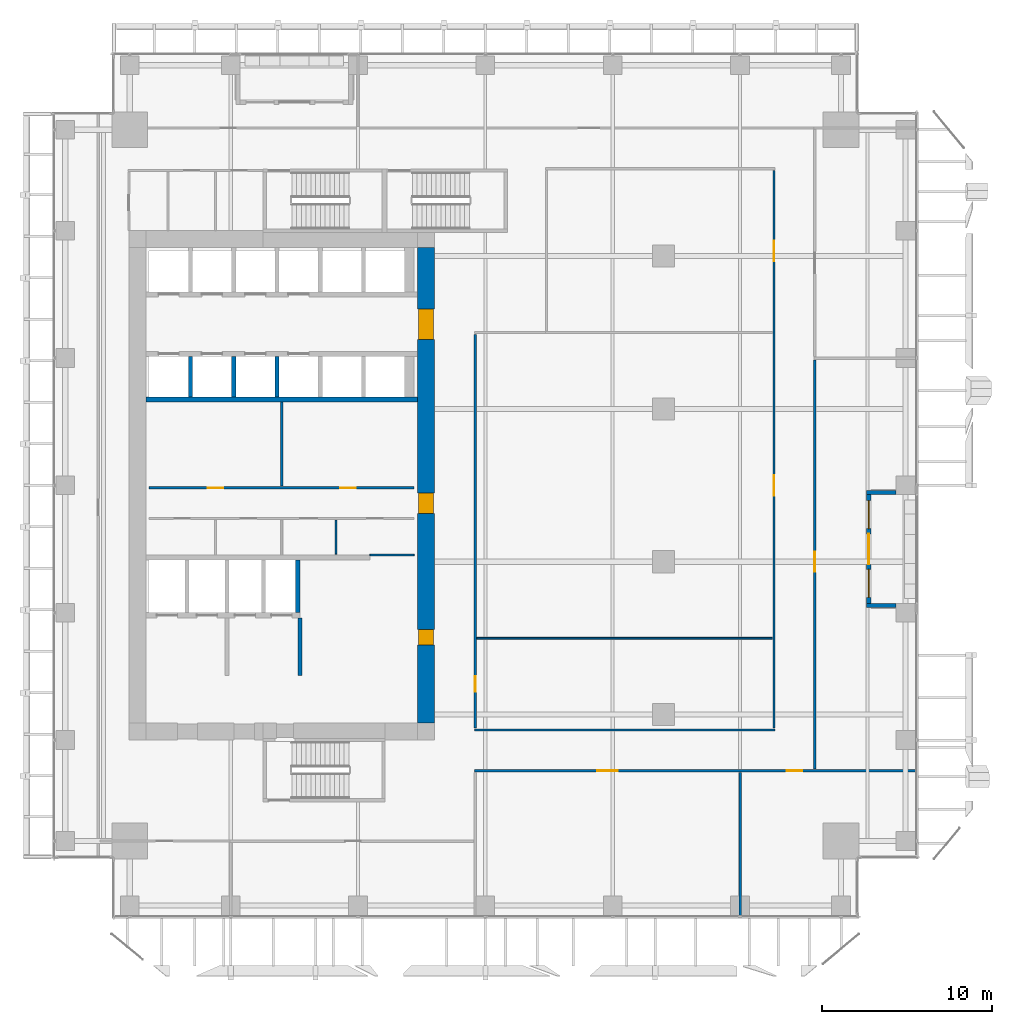
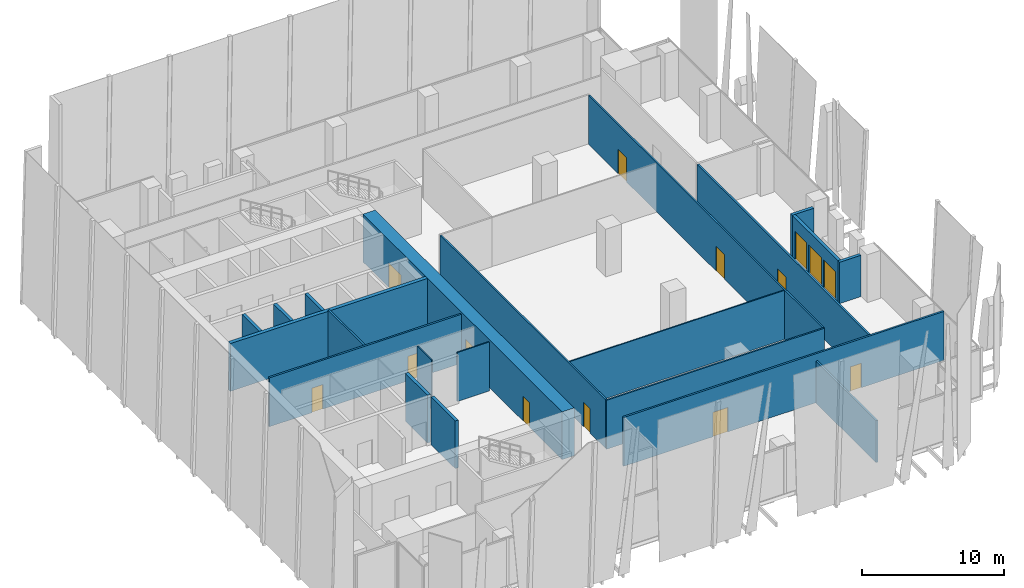
# One storey, part 29 of 36: 21 walls, 12 doors, 2 windows, 14 openings.
"""IFC4 building model written with IfcOpenShell, lengths in metres."""

from ifc_helpers import new_model, si_unit, direction, frame, frame_2d, origin, place, context, subcontext, project, spatial, rectangle, extrude, source, transform, mapped, material, layer, layer_set, type_object, element, fill, save


model = new_model("IFC4")

# Units and contexts
model_context = context("Model", 3, precision=1e-05, world=origin(), true_north=direction((0.0, 1.0)))
body_context = subcontext(model_context, "Body", "Model", "MODEL_VIEW")
ifc_project = project(units=[si_unit("LENGTHUNIT", "METRE"), si_unit("AREAUNIT", "SQUARE_METRE"), si_unit("VOLUMEUNIT", "CUBIC_METRE"), si_unit("PLANEANGLEUNIT", "RADIAN"), si_unit("MASSUNIT", "GRAM", prefix="KILO")], contexts=[model_context])

# Site, building, storey
site_placement = place(None, origin())
site = spatial("IfcSite", under=ifc_project, at=site_placement, CompositionType="ELEMENT")
building_placement = place(site_placement, origin())
building = spatial("IfcBuilding", under=site, at=building_placement, Name="Khomas Fold Tower", CompositionType="ELEMENT")
storey_placement = place(building_placement, frame((0.0, 0.0, 141.10009765625)))
storey = spatial("IfcBuildingStorey", under=building, at=storey_placement, Name="L30", CompositionType="ELEMENT", Elevation=141.10009765625)

# Wall, openings, doors
ifc_material_1 = material(Name="Concrete C70/85", Category="concrete")
ifc_layer_1 = layer(ifc_material_1, 1.0)
ifc_layer_set_1 = layer_set([ifc_layer_1], Name="Concrete C70/85")
wall_type_1 = type_object("IfcWallType", Name="Core wall 1000", PredefinedType="SHEAR", material=ifc_layer_set_1)
shared_shape_1 = source(origin(), body_context, "Body", "SweptSolid", [
    extrude(rectangle(XDim=28.0, YDim=1.0, at=frame_2d((14.0, 0.0))), origin(), (0.0, 0.0, 1.0), 4.099853515625),
])
wall_1_placement = place(storey_placement, frame((23.5, 13.0, 0.0), z_axis=(0.0, 0.0, 1.0), x_axis=(0.0, 1.0, 0.0)))
wall_1 = element("IfcWall", 1, at=wall_1_placement, inside=storey, type_object=wall_type_1, Name="Core wall CW-L-E-L21", PredefinedType="SHEAR", context=body_context, shape_type="MappedRepresentation", body=[
    mapped(shared_shape_1, transform((0.0, 0.0, 0.0))),
])
shared_shape_2 = source(origin(), body_context, "Body", "SweptSolid", [
    extrude(rectangle(XDim=1.800048828125, YDim=2.10009765625, at=frame_2d((0.89990234375, 1.050048828125))), frame((0.0, 0.510009765625, 0.0), z_axis=(0.0, -1.0, 0.0), x_axis=(1.0, 0.0, 0.0)), (0.0, 0.0, 1.0), 1.02001953125),
])
opening_1_placement = place(wall_1_placement, frame((22.60009765625, 0.0, 0.0)))
opening_1 = element("IfcOpeningElement", 2, at=opening_1_placement, cuts=wall_1, Name="Opening 0015", PredefinedType="OPENING", context=body_context, shape_type="MappedRepresentation", body=[
    mapped(shared_shape_2, transform((0.0, 0.0, 0.0))),
])
shared_shape_3 = source(origin(), body_context, "Body", "SweptSolid", [
    extrude(rectangle(XDim=1.199951171875, YDim=2.10009765625, at=frame_2d((0.60009765625, 1.050048828125))), frame((0.0, 0.510009765625, 0.0), z_axis=(0.0, -1.0, 0.0), x_axis=(1.0, 0.0, 0.0)), (0.0, 0.0, 1.0), 1.02001953125),
])
opening_2_placement = place(wall_1_placement, frame((12.35009765625, 0.0, 0.0)))
opening_2 = element("IfcOpeningElement", 3, at=opening_2_placement, cuts=wall_1, Name="Opening 0001", PredefinedType="OPENING", context=body_context, shape_type="MappedRepresentation", body=[
    mapped(shared_shape_3, transform((0.0, 0.0, 0.0))),
])
shared_shape_4 = source(origin(), body_context, "Body", "SweptSolid", [
    extrude(rectangle(XDim=0.89990234375, YDim=2.10009765625, at=frame_2d((0.449951171875, 1.050048828125))), frame((0.0, 0.510009765625, 0.0), z_axis=(0.0, -1.0, 0.0), x_axis=(1.0, 0.0, 0.0)), (0.0, 0.0, 1.0), 1.02001953125),
])
opening_3_placement = place(wall_1_placement, frame((4.60009765625, 0.0, 0.0)))
opening_3 = element("IfcOpeningElement", 4, at=opening_3_placement, cuts=wall_1, Name="Opening 0008", PredefinedType="OPENING", context=body_context, shape_type="MappedRepresentation", body=[
    mapped(shared_shape_4, transform((0.0, 0.0, 0.0))),
])
ifc_material_2 = material(Name="Steel door leaf", Category="steel")
door_type_1 = type_object("IfcDoorType", Name="Lobby door 1800x2100", OperationType="DOUBLE_DOOR_SINGLE_SWING", PredefinedType="DOOR", material=ifc_material_2)
shared_shape_5 = source(origin(), body_context, "Body", "SweptSolid", [
    extrude(rectangle(XDim=1.800048828125, YDim=2.10009765625, at=frame_2d((0.89990234375, 1.050048828125))), frame((0.0, 0.449951171875, 0.0), z_axis=(0.0, -1.0, 0.0), x_axis=(1.0, 0.0, 0.0)), (0.0, 0.0, 1.0), 0.89990234375),
])
door_1_placement = place(opening_1_placement, origin())
door_1 = element("IfcDoor", 5, at=door_1_placement, inside=storey, type_object=door_type_1, Name="Lobby door", OperationType="DOUBLE_DOOR_SINGLE_SWING", OverallHeight=2.10009765625, OverallWidth=1.800048828125, PredefinedType="DOOR", context=body_context, shape_type="MappedRepresentation", body=[
    mapped(shared_shape_5, transform((0.0, 0.0, 0.0))),
])
fill(opening_1, door_1)
ifc_material_3 = material(Name="Timber door leaf", Category="wood")
door_type_2 = type_object("IfcDoorType", Name="Door 1200x2100 right-hand", OperationType="SINGLE_SWING_RIGHT", PredefinedType="DOOR", material=ifc_material_3)
shared_shape_6 = source(origin(), body_context, "Body", "SweptSolid", [
    extrude(rectangle(XDim=1.199951171875, YDim=2.10009765625, at=frame_2d((0.60009765625, 1.050048828125))), frame((0.0, 0.449951171875, 0.0), z_axis=(0.0, -1.0, 0.0), x_axis=(1.0, 0.0, 0.0)), (0.0, 0.0, 1.0), 0.89990234375),
])
door_2_placement = place(opening_2_placement, origin())
door_2 = element("IfcDoor", 6, at=door_2_placement, inside=storey, type_object=door_type_2, Name="Door", OperationType="SINGLE_SWING_RIGHT", OverallHeight=2.10009765625, OverallWidth=1.199951171875, PredefinedType="DOOR", context=body_context, shape_type="MappedRepresentation", body=[
    mapped(shared_shape_6, transform((0.0, 0.0, 0.0))),
])
fill(opening_2, door_2)
ifc_material_4 = material(Name="Timber door leaf", Category="wood")
door_type_3 = type_object("IfcDoorType", Name="Door 900x2100 right-hand", OperationType="SINGLE_SWING_RIGHT", PredefinedType="DOOR", material=ifc_material_4)
shared_shape_7 = source(origin(), body_context, "Body", "SweptSolid", [
    extrude(rectangle(XDim=0.89990234375, YDim=2.10009765625, at=frame_2d((0.449951171875, 1.050048828125))), frame((0.0, 0.449951171875, 0.0), z_axis=(0.0, -1.0, 0.0), x_axis=(1.0, 0.0, 0.0)), (0.0, 0.0, 1.0), 0.89990234375),
])
door_3_placement = place(opening_3_placement, origin())
door_3 = element("IfcDoor", 7, at=door_3_placement, inside=storey, type_object=door_type_3, Name="Door", OperationType="SINGLE_SWING_RIGHT", OverallHeight=2.10009765625, OverallWidth=0.89990234375, PredefinedType="DOOR", context=body_context, shape_type="MappedRepresentation", body=[
    mapped(shared_shape_7, transform((0.0, 0.0, 0.0))),
])
fill(opening_3, door_3)

# Walls
ifc_material_5 = material(Name="Concrete C50/60", Category="concrete")
ifc_layer_2 = layer(ifc_material_5, 0.300048828125)
ifc_layer_set_2 = layer_set([ifc_layer_2], Name="Concrete C50/60")
wall_type_2 = type_object("IfcWallType", Name="Shaft wall 300", PredefinedType="STANDARD", material=ifc_layer_set_2)
shared_shape_8 = source(origin(), body_context, "Body", "SweptSolid", [
    extrude(rectangle(XDim=16.0, YDim=0.300048828125, at=frame_2d((8.0, 0.0))), origin(), (0.0, 0.0, 1.0), 4.099853515625),
])
wall_2_placement = place(storey_placement, frame((7.0, 32.050048828125, 0.0), z_axis=(0.0, 0.0, 1.0), x_axis=(1.0, 0.0, 0.0)))
element("IfcWall", 8, at=wall_2_placement, inside=storey, type_object=wall_type_2, Name="Core wall SW-HRN-B", PredefinedType="STANDARD", context=body_context, shape_type="MappedRepresentation", body=[
    mapped(shared_shape_8, transform((0.0, 0.0, 0.0))),
])
ifc_material_6 = material(Name="Concrete C50/60", Category="concrete")
ifc_layer_3 = layer(ifc_material_6, 0.25)
ifc_layer_set_3 = layer_set([ifc_layer_3], Name="Concrete C50/60")
wall_type_3 = type_object("IfcWallType", Name="Shaft wall 250", PredefinedType="STANDARD", material=ifc_layer_set_3)
shared_shape_9 = source(origin(), body_context, "Body", "SweptSolid", [
    extrude(rectangle(XDim=3.10009765625, YDim=0.25, at=frame_2d((1.550048828125, 0.0))), origin(), (0.0, 0.0, 1.0), 4.099853515625),
])
wall_3_placement = place(storey_placement, frame((15.949951171875, 19.5, 0.0), z_axis=(0.0, 0.0, 1.0), x_axis=(0.0, 1.0, 0.0)))
element("IfcWall", 9, at=wall_3_placement, inside=storey, type_object=wall_type_3, Name="Core wall SW-FS-PE", PredefinedType="STANDARD", context=body_context, shape_type="MappedRepresentation", body=[
    mapped(shared_shape_9, transform((0.0, 0.0, 0.0))),
])
shared_shape_10 = source(origin(), body_context, "Body", "SweptSolid", [
    extrude(rectangle(XDim=2.400146484375, YDim=0.25, at=frame_2d((1.2001953125, 0.0))), origin(), (0.0, 0.0, 1.0), 4.099853515625),
])
for number, where, z_axis, x_axis, name in (
    (10, (9.625, 32.199951171875, 0.0), (0.0, 0.0, 1.0), (0.0, 1.0, 0.0), "Core wall SW-LRS-P1"),
    (11, (12.175048828125, 32.199951171875, 0.0), (0.0, 0.0, 1.0), (0.0, 1.0, 0.0), "Core wall SW-LRS-P2"),
    (12, (14.72509765625, 32.199951171875, 0.0), (0.0, 0.0, 1.0), (0.0, 1.0, 0.0), "Core wall SW-LRS-P3"),
):
    element("IfcWall", number, at=place(storey_placement, frame(where, z_axis=z_axis, x_axis=x_axis)), inside=storey, type_object=wall_type_3, Name=name, PredefinedType="STANDARD", context=body_context, shape_type="MappedRepresentation", body=[
        mapped(shared_shape_10, transform((0.0, 0.0, 0.0))),
    ])
ifc_material_7 = material(Name="Concrete C50/60", Category="concrete")
ifc_layer_4 = layer(ifc_material_7, 0.25)
ifc_layer_set_4 = layer_set([ifc_layer_4], Name="Concrete C50/60")
wall_type_4 = type_object("IfcWallType", Name="Lobby wall 250", PredefinedType="STANDARD", material=ifc_layer_set_4)
shared_shape_11 = source(origin(), body_context, "Body", "SweptSolid", [
    extrude(rectangle(XDim=3.39990234375, YDim=0.25, at=frame_2d((1.699951171875, 0.0))), origin(), (0.0, 0.0, 1.0), 4.099853515625),
])
wall_4_placement = place(storey_placement, frame((16.074951171875, 15.800048828125, 0.0), z_axis=(0.0, 0.0, 1.0), x_axis=(0.0, 1.0, 0.0)))
element("IfcWall", 13, at=wall_4_placement, inside=storey, type_object=wall_type_4, Name="Core wall SW-FS-LOB-E", PredefinedType="STANDARD", context=body_context, shape_type="MappedRepresentation", body=[
    mapped(shared_shape_11, transform((0.0, 0.0, 0.0))),
])

# Wall, openings, door, windows
ifc_material_8 = material(Name="Natural stone", Category="masonry")
ifc_layer_5 = layer(ifc_material_8, 0.0400390625)
ifc_material_9 = material(Name="Mineral wool insulation", Category="insulation")
ifc_layer_6 = layer(ifc_material_9, 0.10009765625)
ifc_material_10 = material(Name="Masonry", Category="masonry")
ifc_layer_7 = layer(ifc_material_10, 0.110107421875)
ifc_layer_set_5 = layer_set([ifc_layer_5, ifc_layer_6, ifc_layer_7], Name="Stone-faced insulated masonry")
wall_type_5 = type_object("IfcWallType", Name="BL-Balcony wall", PredefinedType="SOLIDWALL", material=ifc_layer_set_5)
shared_shape_12 = source(origin(), body_context, "Body", "SweptSolid", [
    extrude(rectangle(XDim=6.39990234375, YDim=0.25, at=frame_2d((3.199951171875, 0.0))), origin(), (0.0, 0.0, 1.0), 3.5498046875),
])
wall_5_placement = place(storey_placement, frame((49.574951171875, 20.050048828125, 0.0), z_axis=(0.0, 0.0, 1.0), x_axis=(0.0, 1.0, 0.0)))
wall_5 = element("IfcWall", 14, at=wall_5_placement, inside=storey, type_object=wall_type_5, Name="Balcony wall BAL-L30-E2", PredefinedType="SOLIDWALL", context=body_context, shape_type="MappedRepresentation", body=[
    mapped(shared_shape_12, transform((0.0, 0.0, 0.0))),
])
shared_shape_13 = source(origin(), body_context, "Body", "SweptSolid", [
    extrude(rectangle(XDim=1.64990234375, YDim=2.39990234375, at=frame_2d((0.824951171875, 1.199951171875))), frame((0.0, 0.135009765625, 0.0), z_axis=(0.0, -1.0, 0.0), x_axis=(1.0, 0.0, 0.0)), (0.0, 0.0, 1.0), 0.27001953125),
])
opening_4_placement = place(wall_5_placement, frame((0.35009765625, 0.0, 0.0)))
opening_4 = element("IfcOpeningElement", 15, at=opening_4_placement, cuts=wall_5, Name="Opening BL-W2", PredefinedType="OPENING", context=body_context, shape_type="MappedRepresentation", body=[
    mapped(shared_shape_13, transform((0.0, 0.0, 0.0))),
])
opening_5_placement = place(wall_5_placement, frame((4.39990234375, 0.0, 0.0)))
opening_5 = element("IfcOpeningElement", 16, at=opening_5_placement, cuts=wall_5, Name="Opening BL-W2", PredefinedType="OPENING", context=body_context, shape_type="MappedRepresentation", body=[
    mapped(shared_shape_13, transform((0.0, 0.0, 0.0))),
])
shared_shape_14 = source(origin(), body_context, "Body", "SweptSolid", [
    extrude(rectangle(XDim=1.800048828125, YDim=2.39990234375, at=frame_2d((0.89990234375, 1.199951171875))), frame((0.0, 0.135009765625, 0.0), z_axis=(0.0, -1.0, 0.0), x_axis=(1.0, 0.0, 0.0)), (0.0, 0.0, 1.0), 0.27001953125),
])
opening_6_placement = place(wall_5_placement, frame((2.300048828125, 0.0, 0.0)))
opening_6 = element("IfcOpeningElement", 17, at=opening_6_placement, cuts=wall_5, Name="Opening BD301", PredefinedType="OPENING", context=body_context, shape_type="MappedRepresentation", body=[
    mapped(shared_shape_14, transform((0.0, 0.0, 0.0))),
])
ifc_material_11 = material(Name="Aluminium framed double glazing", Category="aluminium")
door_type_4 = type_object("IfcDoorType", Name="BL-Glazed balcony door 1800 x 2400", OperationType="DOUBLE_DOOR_DOUBLE_SWING", PredefinedType="DOOR", material=ifc_material_11)
shared_shape_15 = source(origin(), body_context, "Body", "SweptSolid", [
    extrude(rectangle(XDim=1.800048828125, YDim=2.39990234375, at=frame_2d((0.89990234375, 1.199951171875))), frame((0.0, 0.02490234375, 0.0), z_axis=(0.0, -1.0, 0.0), x_axis=(1.0, 0.0, 0.0)), (0.0, 0.0, 1.0), 0.050048828125),
])
door_4_placement = place(opening_6_placement, origin())
door_4 = element("IfcDoor", 18, at=door_4_placement, inside=storey, type_object=door_type_4, Name="Balcony door BD301", OperationType="DOUBLE_DOOR_DOUBLE_SWING", OverallHeight=2.39990234375, OverallWidth=1.800048828125, PredefinedType="DOOR", context=body_context, shape_type="MappedRepresentation", body=[
    mapped(shared_shape_15, transform((0.0, 0.0, 0.0))),
])
fill(opening_6, door_4)
ifc_material_12 = material(Name="Aluminium framed double glazing", Category="aluminium")
window_type = type_object("IfcWindowType", Name="BL-Fixed glazing 1650 x 2400", PartitioningType="SINGLE_PANEL", PredefinedType="WINDOW", material=ifc_material_12)
shared_shape_16 = source(origin(), body_context, "Body", "SweptSolid", [
    extrude(rectangle(XDim=1.64990234375, YDim=2.39990234375, at=frame_2d((0.824951171875, 1.199951171875))), frame((0.0, 0.030029296875, 0.0), z_axis=(0.0, -1.0, 0.0), x_axis=(1.0, 0.0, 0.0)), (0.0, 0.0, 1.0), 0.06005859375),
])
window_1_placement = place(opening_4_placement, origin())
window_1 = element("IfcWindow", 19, at=window_1_placement, inside=storey, type_object=window_type, Name="Balcony glazing BAL-L30-E2-1", OverallHeight=2.39990234375, OverallWidth=1.64990234375, PartitioningType="SINGLE_PANEL", PredefinedType="WINDOW", context=body_context, shape_type="MappedRepresentation", body=[
    mapped(shared_shape_16, transform((0.0, 0.0, 0.0))),
])
fill(opening_4, window_1)
window_2_placement = place(opening_5_placement, origin())
window_2 = element("IfcWindow", 20, at=window_2_placement, inside=storey, type_object=window_type, Name="Balcony glazing BAL-L30-E2-2", OverallHeight=2.39990234375, OverallWidth=1.64990234375, PartitioningType="SINGLE_PANEL", PredefinedType="WINDOW", context=body_context, shape_type="MappedRepresentation", body=[
    mapped(shared_shape_16, transform((0.0, 0.0, 0.0))),
])
fill(opening_5, window_2)

# Walls
shared_shape_17 = source(origin(), body_context, "Body", "SweptSolid", [
    extrude(rectangle(XDim=1.75, YDim=0.25, at=frame_2d((0.875, 0.0))), origin(), (0.0, 0.0, 1.0), 3.5498046875),
])
for number, where, z_axis, x_axis, name in (
    (21, (51.199951171875, 19.925048828125, 0.0), (0.0, 0.0, 1.0), (-1.0, 0.0, 0.0), "Balcony return wall BAL-L30-E2-lo"),
    (22, (51.199951171875, 26.574951171875, 0.0), (0.0, 0.0, 1.0), (-1.0, 0.0, 0.0), "Balcony return wall BAL-L30-E2-hi"),
):
    element("IfcWall", number, at=place(storey_placement, frame(where, z_axis=z_axis, x_axis=x_axis)), inside=storey, type_object=wall_type_5, Name=name, PredefinedType="SOLIDWALL", context=body_context, shape_type="MappedRepresentation", body=[
        mapped(shared_shape_17, transform((0.0, 0.0, 0.0))),
    ])
ifc_material_13 = material(Name="Plasterboard partition")
ifc_layer_8 = layer(ifc_material_13, 0.10009765625)
ifc_layer_set_6 = layer_set([ifc_layer_8], Name="Plasterboard partition")
wall_type_6 = type_object("IfcWallType", Name="Partition PW1 100", PredefinedType="PARTITIONING", material=ifc_layer_set_6)
shared_shape_18 = source(origin(), body_context, "Body", "SweptSolid", [
    extrude(rectangle(XDim=2.60009765625, YDim=0.10009765625, at=frame_2d((1.300048828125, 0.0))), origin(), (0.0, 0.0, 1.0), 4.199951171875),
])
wall_6_placement = place(storey_placement, frame((20.199951171875, 22.89990234375, 0.0), z_axis=(0.0, 0.0, 1.0), x_axis=(1.0, 0.0, 0.0)))
element("IfcWall", 23, at=wall_6_placement, inside=storey, type_object=wall_type_6, Name="Partition", PredefinedType="PARTITIONING", context=body_context, shape_type="MappedRepresentation", body=[
    mapped(shared_shape_18, transform((0.0, 0.0, 0.0))),
])
shared_shape_19 = source(origin(), body_context, "Body", "SweptSolid", [
    extrude(rectangle(XDim=2.0, YDim=0.10009765625, at=frame_2d((1.0, 0.0))), origin(), (0.0, 0.0, 1.0), 4.199951171875),
])
wall_7_placement = place(storey_placement, frame((18.199951171875, 22.949951171875, 0.0), z_axis=(0.0, 0.0, 1.0), x_axis=(0.0, 1.0, 0.0)))
element("IfcWall", 24, at=wall_7_placement, inside=storey, type_object=wall_type_6, Name="Partition", PredefinedType="PARTITIONING", context=body_context, shape_type="MappedRepresentation", body=[
    mapped(shared_shape_19, transform((0.0, 0.0, 0.0))),
])

# Wall, openings, doors
ifc_material_14 = material(Name="Plasterboard fire partition")
ifc_layer_9 = layer(ifc_material_14, 0.14990234375)
ifc_layer_set_7 = layer_set([ifc_layer_9], Name="Plasterboard fire partition")
wall_type_7 = type_object("IfcWallType", Name="Plant room wall PW3 150", PredefinedType="PARTITIONING", material=ifc_layer_set_7)
shared_shape_20 = source(origin(), body_context, "Body", "SweptSolid", [
    extrude(rectangle(XDim=15.60009765625, YDim=0.14990234375, at=frame_2d((7.800048828125, 0.0))), origin(), (0.0, 0.0, 1.0), 4.199951171875),
])
wall_8_placement = place(storey_placement, frame((7.199951171875, 26.85009765625, 0.0), z_axis=(0.0, 0.0, 1.0), x_axis=(1.0, 0.0, 0.0)))
wall_8 = element("IfcWall", 25, at=wall_8_placement, inside=storey, type_object=wall_type_7, Name="Plant room wall", PredefinedType="PARTITIONING", context=body_context, shape_type="MappedRepresentation", body=[
    mapped(shared_shape_20, transform((0.0, 0.0, 0.0))),
])
shared_shape_21 = source(origin(), body_context, "Body", "SweptSolid", [
    extrude(rectangle(XDim=0.89990234375, YDim=2.10009765625, at=frame_2d((0.449951171875, 1.050048828125))), frame((0.0, 0.0849609375, 0.0), z_axis=(0.0, -1.0, 0.0), x_axis=(1.0, 0.0, 0.0)), (0.0, 0.0, 1.0), 0.169921875),
])
opening_7_placement = place(wall_8_placement, frame((3.449951171875, 0.0, 0.0)))
opening_7 = element("IfcOpeningElement", 26, at=opening_7_placement, cuts=wall_8, Name="Opening 0002", PredefinedType="OPENING", context=body_context, shape_type="MappedRepresentation", body=[
    mapped(shared_shape_21, transform((0.0, 0.0, 0.0))),
])
opening_8_placement = place(wall_8_placement, frame((11.25, 0.0, 0.0)))
opening_8 = element("IfcOpeningElement", 27, at=opening_8_placement, cuts=wall_8, Name="Opening 0003", PredefinedType="OPENING", context=body_context, shape_type="MappedRepresentation", body=[
    mapped(shared_shape_21, transform((0.0, 0.0, 0.0))),
])
ifc_material_15 = material(Name="Steel door leaf", Category="steel")
door_type_5 = type_object("IfcDoorType", Name="Plant room door 900x2100 left-hand", OperationType="SINGLE_SWING_LEFT", PredefinedType="DOOR", material=ifc_material_15)
shared_shape_22 = source(origin(), body_context, "Body", "SweptSolid", [
    extrude(rectangle(XDim=0.89990234375, YDim=2.10009765625, at=frame_2d((0.449951171875, 1.050048828125))), frame((0.0, 0.02490234375, 0.0), z_axis=(0.0, -1.0, 0.0), x_axis=(1.0, 0.0, 0.0)), (0.0, 0.0, 1.0), 0.050048828125),
])
door_5_placement = place(opening_7_placement, origin())
door_5 = element("IfcDoor", 28, at=door_5_placement, inside=storey, type_object=door_type_5, Name="Plant room door", OperationType="SINGLE_SWING_LEFT", OverallHeight=2.10009765625, OverallWidth=0.89990234375, PredefinedType="DOOR", context=body_context, shape_type="MappedRepresentation", body=[
    mapped(shared_shape_22, transform((0.0, 0.0, 0.0))),
])
fill(opening_7, door_5)
ifc_material_16 = material(Name="Steel door leaf", Category="steel")
door_type_6 = type_object("IfcDoorType", Name="Plant room door 900x2100 right-hand", OperationType="SINGLE_SWING_RIGHT", PredefinedType="DOOR", material=ifc_material_16)
door_6_placement = place(opening_8_placement, origin())
door_6 = element("IfcDoor", 29, at=door_6_placement, inside=storey, type_object=door_type_6, Name="Plant room door", OperationType="SINGLE_SWING_RIGHT", OverallHeight=2.10009765625, OverallWidth=0.89990234375, PredefinedType="DOOR", context=body_context, shape_type="MappedRepresentation", body=[
    mapped(shared_shape_22, transform((0.0, 0.0, 0.0))),
])
fill(opening_8, door_6)

# Walls
shared_shape_23 = source(origin(), body_context, "Body", "SweptSolid", [
    extrude(rectangle(XDim=4.949951171875, YDim=0.14990234375, at=frame_2d((2.47509765625, 0.0))), origin(), (0.0, 0.0, 1.0), 4.199951171875),
])
wall_9_placement = place(storey_placement, frame((15.0, 26.949951171875, 0.0), z_axis=(0.0, 0.0, 1.0), x_axis=(0.0, 1.0, 0.0)))
element("IfcWall", 30, at=wall_9_placement, inside=storey, type_object=wall_type_7, Name="Plant room wall", PredefinedType="PARTITIONING", context=body_context, shape_type="MappedRepresentation", body=[
    mapped(shared_shape_23, transform((0.0, 0.0, 0.0))),
])
ifc_material_17 = material(Name="Plasterboard partition")
ifc_layer_10 = layer(ifc_material_17, 0.125)
ifc_layer_set_8 = layer_set([ifc_layer_10], Name="Plasterboard partition")
wall_type_8 = type_object("IfcWallType", Name="Partition PW2 125", PredefinedType="PARTITIONING", material=ifc_layer_set_8)
shared_shape_24 = source(origin(), body_context, "Body", "SweptSolid", [
    extrude(rectangle(XDim=17.699951171875, YDim=0.125, at=frame_2d((8.85009765625, 0.0))), origin(), (0.0, 0.0, 1.0), 4.199951171875),
])
wall_10_placement = place(storey_placement, frame((26.35009765625, 12.60009765625, 0.0), z_axis=(0.0, 0.0, 1.0), x_axis=(1.0, 0.0, 0.0)))
element("IfcWall", 31, at=wall_10_placement, inside=storey, type_object=wall_type_8, Name="Partition", PredefinedType="PARTITIONING", context=body_context, shape_type="MappedRepresentation", body=[
    mapped(shared_shape_24, transform((0.0, 0.0, 0.0))),
])

# Wall, opening, door
shared_shape_25 = source(origin(), body_context, "Body", "SweptSolid", [
    extrude(rectangle(XDim=23.199951171875, YDim=0.125, at=frame_2d((11.60009765625, 0.0))), origin(), (0.0, 0.0, 1.0), 4.199951171875),
])
wall_11_placement = place(storey_placement, frame((26.39990234375, 12.699951171875, 0.0), z_axis=(0.0, 0.0, 1.0), x_axis=(0.0, 1.0, 0.0)))
wall_11 = element("IfcWall", 32, at=wall_11_placement, inside=storey, type_object=wall_type_8, Name="Partition", PredefinedType="PARTITIONING", context=body_context, shape_type="MappedRepresentation", body=[
    mapped(shared_shape_25, transform((0.0, 0.0, 0.0))),
])
shared_shape_26 = source(origin(), body_context, "Body", "SweptSolid", [
    extrude(rectangle(XDim=0.89990234375, YDim=2.10009765625, at=frame_2d((0.449951171875, 1.050048828125))), frame((0.0, 0.072509765625, 0.0), z_axis=(0.0, -1.0, 0.0), x_axis=(1.0, 0.0, 0.0)), (0.0, 0.0, 1.0), 0.14501953125),
])
opening_9_placement = place(wall_11_placement, frame((2.14990234375, 0.0, 0.0)))
opening_9 = element("IfcOpeningElement", 33, at=opening_9_placement, cuts=wall_11, Name="Opening 0007", PredefinedType="OPENING", context=body_context, shape_type="MappedRepresentation", body=[
    mapped(shared_shape_26, transform((0.0, 0.0, 0.0))),
])
ifc_material_18 = material(Name="Timber door leaf", Category="wood")
door_type_7 = type_object("IfcDoorType", Name="Door 900x2100 left-hand", OperationType="SINGLE_SWING_LEFT", PredefinedType="DOOR", material=ifc_material_18)
door_7_placement = place(opening_9_placement, origin())
door_7 = element("IfcDoor", 34, at=door_7_placement, inside=storey, type_object=door_type_7, Name="Door", OperationType="SINGLE_SWING_LEFT", OverallHeight=2.10009765625, OverallWidth=0.89990234375, PredefinedType="DOOR", context=body_context, shape_type="MappedRepresentation", body=[
    mapped(shared_shape_22, transform((0.0, 0.0, 0.0))),
])
fill(opening_9, door_7)

# Wall, openings, doors
shared_shape_27 = source(origin(), body_context, "Body", "SweptSolid", [
    extrude(rectangle(XDim=32.85009765625, YDim=0.125, at=frame_2d((16.425048828125, 0.0))), origin(), (0.0, 0.0, 1.0), 4.199951171875),
])
wall_12_placement = place(storey_placement, frame((44.0, 12.699951171875, 0.0), z_axis=(0.0, 0.0, 1.0), x_axis=(0.0, 1.0, 0.0)))
wall_12 = element("IfcWall", 35, at=wall_12_placement, inside=storey, type_object=wall_type_8, Name="Partition", PredefinedType="PARTITIONING", context=body_context, shape_type="MappedRepresentation", body=[
    mapped(shared_shape_27, transform((0.0, 0.0, 0.0))),
])
shared_shape_28 = source(origin(), body_context, "Body", "SweptSolid", [
    extrude(rectangle(XDim=1.199951171875, YDim=2.10009765625, at=frame_2d((0.60009765625, 1.050048828125))), frame((0.0, 0.072509765625, 0.0), z_axis=(0.0, -1.0, 0.0), x_axis=(1.0, 0.0, 0.0)), (0.0, 0.0, 1.0), 0.14501953125),
])
opening_10_placement = place(wall_12_placement, frame((13.699951171875, 0.0, 0.0)))
opening_10 = element("IfcOpeningElement", 36, at=opening_10_placement, cuts=wall_12, Name="Opening 0013", PredefinedType="OPENING", context=body_context, shape_type="MappedRepresentation", body=[
    mapped(shared_shape_28, transform((0.0, 0.0, 0.0))),
])
opening_11_placement = place(wall_12_placement, frame((27.5, 0.0, 0.0)))
opening_11 = element("IfcOpeningElement", 37, at=opening_11_placement, cuts=wall_12, Name="Opening 0001", PredefinedType="OPENING", context=body_context, shape_type="MappedRepresentation", body=[
    mapped(shared_shape_28, transform((0.0, 0.0, 0.0))),
])
ifc_material_19 = material(Name="Timber door leaf", Category="wood")
door_type_8 = type_object("IfcDoorType", Name="Door 1200x2100 left-hand", OperationType="SINGLE_SWING_LEFT", PredefinedType="DOOR", material=ifc_material_19)
shared_shape_29 = source(origin(), body_context, "Body", "SweptSolid", [
    extrude(rectangle(XDim=1.199951171875, YDim=2.10009765625, at=frame_2d((0.60009765625, 1.050048828125))), frame((0.0, 0.02490234375, 0.0), z_axis=(0.0, -1.0, 0.0), x_axis=(1.0, 0.0, 0.0)), (0.0, 0.0, 1.0), 0.050048828125),
])
door_8_placement = place(opening_10_placement, origin())
door_8 = element("IfcDoor", 38, at=door_8_placement, inside=storey, type_object=door_type_8, Name="Door", OperationType="SINGLE_SWING_LEFT", OverallHeight=2.10009765625, OverallWidth=1.199951171875, PredefinedType="DOOR", context=body_context, shape_type="MappedRepresentation", body=[
    mapped(shared_shape_29, transform((0.0, 0.0, 0.0))),
])
fill(opening_10, door_8)
door_9_placement = place(opening_11_placement, origin())
door_9 = element("IfcDoor", 39, at=door_9_placement, inside=storey, type_object=door_type_2, Name="Door", OperationType="SINGLE_SWING_RIGHT", OverallHeight=2.10009765625, OverallWidth=1.199951171875, PredefinedType="DOOR", context=body_context, shape_type="MappedRepresentation", body=[
    mapped(shared_shape_29, transform((0.0, 0.0, 0.0))),
])
fill(opening_11, door_9)

# Walls
shared_shape_30 = source(origin(), body_context, "Body", "SweptSolid", [
    extrude(rectangle(XDim=17.39990234375, YDim=0.10009765625, at=frame_2d((8.699951171875, 0.0))), origin(), (0.0, 0.0, 1.0), 4.199951171875),
])
wall_13_placement = place(storey_placement, frame((26.5, 18.0, 0.0), z_axis=(0.0, 0.0, 1.0), x_axis=(1.0, 0.0, 0.0)))
element("IfcWall", 40, at=wall_13_placement, inside=storey, type_object=wall_type_6, Name="Partition", PredefinedType="PARTITIONING", context=body_context, shape_type="MappedRepresentation", body=[
    mapped(shared_shape_30, transform((0.0, 0.0, 0.0))),
])
shared_shape_31 = source(origin(), body_context, "Body", "SweptSolid", [
    extrude(rectangle(XDim=8.4501953125, YDim=0.14990234375, at=frame_2d((4.22509765625, 0.0))), origin(), (0.0, 0.0, 1.0), 3.599853515625),
])
wall_14_placement = place(storey_placement, frame((42.0, 1.64990234375, 0.0), z_axis=(0.0, 0.0, 1.0), x_axis=(0.0, 1.0, 0.0)))
element("IfcWall", 41, at=wall_14_placement, inside=storey, type_object=wall_type_7, Name="Plant room wall", PredefinedType="PARTITIONING", context=body_context, shape_type="MappedRepresentation", body=[
    mapped(shared_shape_31, transform((0.0, 0.0, 0.0))),
])

# Wall, openings, doors
shared_shape_32 = source(origin(), body_context, "Body", "SweptSolid", [
    extrude(rectangle(XDim=26.0, YDim=0.14990234375, at=frame_2d((13.0, 0.0))), origin(), (0.0, 0.0, 1.0), 4.199951171875),
])
wall_15_placement = place(storey_placement, frame((26.35009765625, 10.199951171875, 0.0), z_axis=(0.0, 0.0, 1.0), x_axis=(1.0, 0.0, 0.0)))
wall_15 = element("IfcWall", 42, at=wall_15_placement, inside=storey, type_object=wall_type_7, Name="Plant room wall", PredefinedType="PARTITIONING", context=body_context, shape_type="MappedRepresentation", body=[
    mapped(shared_shape_32, transform((0.0, 0.0, 0.0))),
])
shared_shape_33 = source(origin(), body_context, "Body", "SweptSolid", [
    extrude(rectangle(XDim=1.199951171875, YDim=2.10009765625, at=frame_2d((0.60009765625, 1.050048828125))), frame((0.0, 0.0849609375, 0.0), z_axis=(0.0, -1.0, 0.0), x_axis=(1.0, 0.0, 0.0)), (0.0, 0.0, 1.0), 0.169921875),
])
opening_12_placement = place(wall_15_placement, frame((7.25, 0.0, 0.0)))
opening_12 = element("IfcOpeningElement", 43, at=opening_12_placement, cuts=wall_15, Name="Opening 0011", PredefinedType="OPENING", context=body_context, shape_type="MappedRepresentation", body=[
    mapped(shared_shape_33, transform((0.0, 0.0, 0.0))),
])
opening_13_placement = place(wall_15_placement, frame((18.39990234375, 0.0, 0.0)))
opening_13 = element("IfcOpeningElement", 44, at=opening_13_placement, cuts=wall_15, Name="Opening 0002", PredefinedType="OPENING", context=body_context, shape_type="MappedRepresentation", body=[
    mapped(shared_shape_21, transform((0.0, 0.0, 0.0))),
])
door_10_placement = place(opening_13_placement, origin())
door_10 = element("IfcDoor", 45, at=door_10_placement, inside=storey, type_object=door_type_5, Name="Plant room door", OperationType="SINGLE_SWING_LEFT", OverallHeight=2.10009765625, OverallWidth=0.89990234375, PredefinedType="DOOR", context=body_context, shape_type="MappedRepresentation", body=[
    mapped(shared_shape_22, transform((0.0, 0.0, 0.0))),
])
fill(opening_13, door_10)
ifc_material_20 = material(Name="Steel door leaf", Category="steel")
door_type_9 = type_object("IfcDoorType", Name="Plant room door 1200x2100 right-hand", OperationType="SINGLE_SWING_RIGHT", PredefinedType="DOOR", material=ifc_material_20)
door_11_placement = place(opening_12_placement, origin())
door_11 = element("IfcDoor", 46, at=door_11_placement, inside=storey, type_object=door_type_9, Name="Plant room door", OperationType="SINGLE_SWING_RIGHT", OverallHeight=2.10009765625, OverallWidth=1.199951171875, PredefinedType="DOOR", context=body_context, shape_type="MappedRepresentation", body=[
    mapped(shared_shape_29, transform((0.0, 0.0, 0.0))),
])
fill(opening_12, door_11)

# Wall, opening, door
shared_shape_34 = source(origin(), body_context, "Body", "SweptSolid", [
    extrude(rectangle(XDim=24.099853515625, YDim=0.14990234375, at=frame_2d((12.0498046875, 0.0))), origin(), (0.0, 0.0, 1.0), 4.199951171875),
])
wall_16_placement = place(storey_placement, frame((46.39990234375, 10.300048828125, 0.0), z_axis=(0.0, 0.0, 1.0), x_axis=(0.0, 1.0, 0.0)))
wall_16 = element("IfcWall", 47, at=wall_16_placement, inside=storey, type_object=wall_type_7, Name="Plant room wall", PredefinedType="PARTITIONING", context=body_context, shape_type="MappedRepresentation", body=[
    mapped(shared_shape_34, transform((0.0, 0.0, 0.0))),
])
opening_14_placement = place(wall_16_placement, frame((11.60009765625, 0.0, 0.0)))
opening_14 = element("IfcOpeningElement", 48, at=opening_14_placement, cuts=wall_16, Name="Opening 0011", PredefinedType="OPENING", context=body_context, shape_type="MappedRepresentation", body=[
    mapped(shared_shape_33, transform((0.0, 0.0, 0.0))),
])
door_12_placement = place(opening_14_placement, origin())
door_12 = element("IfcDoor", 49, at=door_12_placement, inside=storey, type_object=door_type_9, Name="Plant room door", OperationType="SINGLE_SWING_RIGHT", OverallHeight=2.10009765625, OverallWidth=1.199951171875, PredefinedType="DOOR", context=body_context, shape_type="MappedRepresentation", body=[
    mapped(shared_shape_29, transform((0.0, 0.0, 0.0))),
])
fill(opening_14, door_12)

save(model, "model.ifc")
